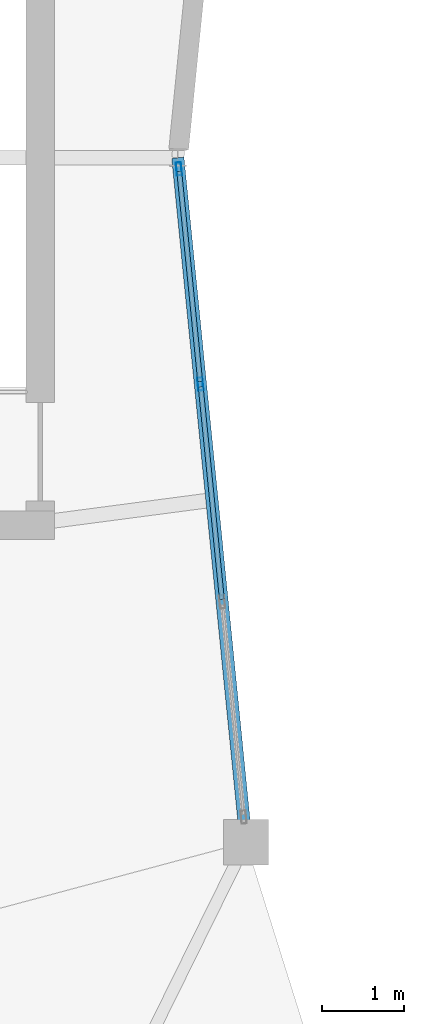
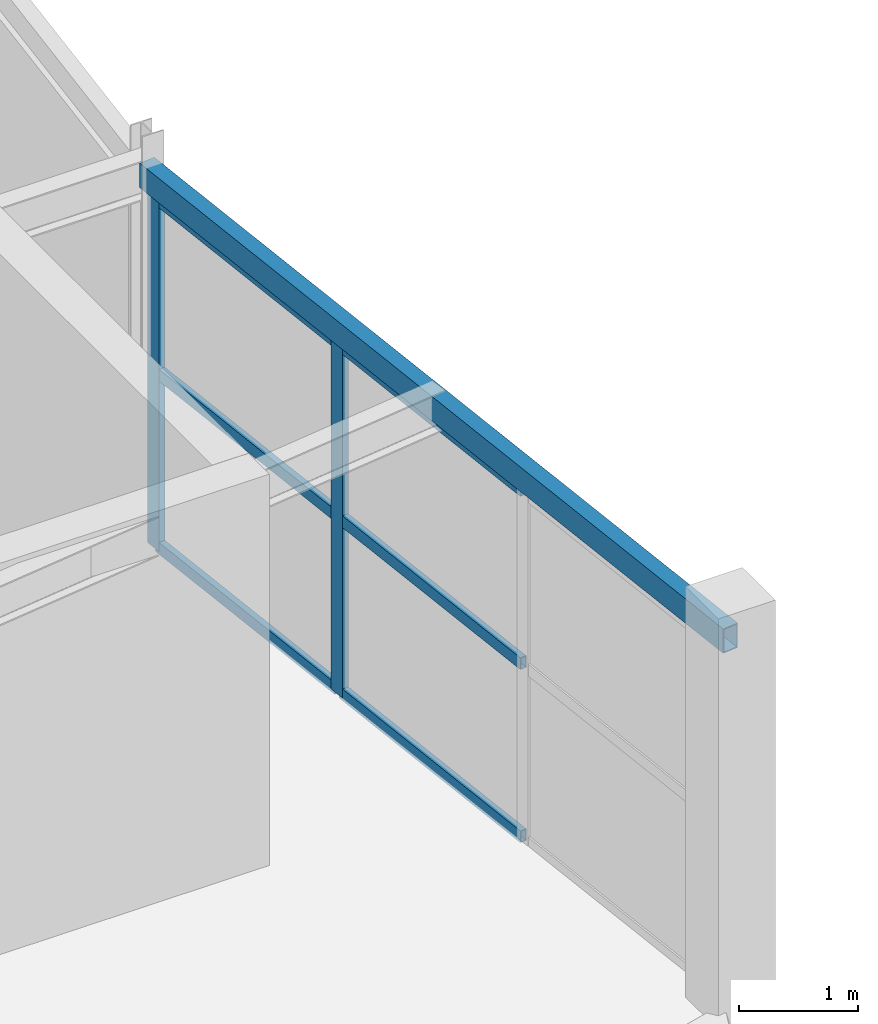
# One storey, part 31 of 106: 8 members, 1 beam, 1 element without a shape of its own.
"""IFC4 building model written with IfcOpenShell, lengths in metres."""

from ifc_helpers import new_model, si_unit, direction, frame, origin, origin_2d, place, context, subcontext, project, spatial, hollow_rectangle, extrude, material, material_profile, profile_set, type_object, element, aggregate, save


model = new_model("IFC4")

# Units and contexts
model_context = context("Model", 3, precision=1e-05, world=origin(), true_north=direction((0.0, 1.0)))
body_context = subcontext(model_context, "Body", "Model", "MODEL_VIEW")
ifc_project = project(units=[si_unit("LENGTHUNIT", "METRE"), si_unit("AREAUNIT", "SQUARE_METRE"), si_unit("VOLUMEUNIT", "CUBIC_METRE"), si_unit("PLANEANGLEUNIT", "RADIAN"), si_unit("MASSUNIT", "GRAM", prefix="KILO")], contexts=[model_context])

# Site, building, storey
site_placement = place(None, origin())
site = spatial("IfcSite", under=ifc_project, at=site_placement, CompositionType="ELEMENT")
building_placement = place(site_placement, origin())
building = spatial("IfcBuilding", under=site, at=building_placement, Name="Karori Crest Natural Sciences Institute", CompositionType="ELEMENT")
storey_placement = place(building_placement, frame((0.0, 0.0, 25.89990234375)))
storey = spatial("IfcBuildingStorey", under=building, at=storey_placement, Name="L06", CompositionType="ELEMENT", Elevation=25.89990234375)

# Beam
ifc_material_1 = material(Name="Hollow structural steel AS/NZS 1163 Grade C350", Category="steel")
ifc_material_profile_1 = material_profile(ifc_material_1, hollow_rectangle(XDim=0.14990234375, YDim=0.25, WallThickness=0.009033203125, at=origin_2d()), Name="RHS250x150x9")
ifc_profile_set_1 = profile_set([ifc_material_profile_1], Name="Hollow structural steel AS/NZS 1163 Grade C350")
beam_type = type_object("IfcBeamType", Name="BT-16", PredefinedType="SPANDREL", material=ifc_profile_set_1)
beam_placement = place(storey_placement, frame((42.0, 49.89990234375, 3.739990234375), z_axis=(0.099255508608, -0.995061979985, 0.0), x_axis=(0.995061979985, 0.099255508608, 0.0)))
element("IfcBeam", 1, at=beam_placement, inside=storey, type_object=beam_type, Name="Beam B-0681", PredefinedType="SPANDREL", context=body_context, shape_type="SweptSolid", body=[
    extrude(hollow_rectangle(XDim=0.14990234375, YDim=0.25, WallThickness=0.009033203125, at=origin_2d()), origin(), (0.0, 0.0, 1.0), 8.375244140625),
])

# Curtain wall, members
ifc_material_2 = material(Name="Anodised architectural aluminium 6063-T6", Category="aluminium")
curtain_wall_type = type_object("IfcCurtainWallType", Name="CWT-13", PredefinedType="NOTDEFINED", material=ifc_material_2)
curtain_wall_placement = place(storey_placement, origin())
curtain_wall = element("IfcCurtainWall", 2, at=curtain_wall_placement, inside=storey, type_object=curtain_wall_type, Name="Curtain wall CW-0239", PredefinedType="NOTDEFINED")
ifc_material_profile_2 = material_profile(ifc_material_2, hollow_rectangle(XDim=0.06494140625, YDim=0.159912109375, WallThickness=0.00390625, at=origin_2d()), Name="CWM160x65x4")
ifc_profile_set_2 = profile_set([ifc_material_profile_2], Name="Anodised architectural aluminium 6063-T6")
member_type_1 = type_object("IfcMemberType", Name="CWM-01", PredefinedType="MULLION", material=ifc_profile_set_2)
member_1_placement = place(storey_placement, frame((42.013427734375, 49.7646484375, 0.0), z_axis=(0.0, 0.0, 1.0), x_axis=(0.995060684604, 0.099268494275, 0.0)))
member_1 = element("IfcMember", 3, at=member_1_placement, type_object=member_type_1, Name="CW-0239 mullion 1", PredefinedType="MULLION", context=body_context, shape_type="SweptSolid", body=[
    extrude(hollow_rectangle(XDim=0.06494140625, YDim=0.159912109375, WallThickness=0.00390625, at=origin_2d()), origin(), (0.0, 0.0, 1.0), 3.60009765625),
])
member_2_placement = place(storey_placement, frame((42.27490234375, 47.144287109375, 0.0), z_axis=(0.0, 0.0, 1.0), x_axis=(0.995060684604, 0.099268494275, 0.0)))
member_2 = element("IfcMember", 4, at=member_2_placement, type_object=member_type_1, Name="CW-0239 mullion 2", PredefinedType="MULLION", context=body_context, shape_type="SweptSolid", body=[
    extrude(hollow_rectangle(XDim=0.06494140625, YDim=0.159912109375, WallThickness=0.00390625, at=origin_2d()), origin(), (0.0, 0.0, 1.0), 3.60009765625),
])
ifc_material_profile_3 = material_profile(ifc_material_2, hollow_rectangle(XDim=0.06005859375, YDim=0.1201171875, WallThickness=0.00390625, at=origin_2d()), Name="CWT120x60x4")
ifc_profile_set_3 = profile_set([ifc_material_profile_3], Name="Anodised architectural aluminium 6063-T6")
member_type_2 = type_object("IfcMemberType", Name="CWT-TR1", PredefinedType="USERDEFINED", material=ifc_profile_set_3)
member_3_placement = place(storey_placement, frame((42.016845703125, 49.732421875, 0.030029296875), z_axis=(0.099240189366, -0.99506350793, 0.0), x_axis=(0.99506350793, 0.099240189366, 0.0)))
member_3 = element("IfcMember", 5, at=member_3_placement, type_object=member_type_2, Name="CW-0239 transom 1.1", ObjectType="TRANSOM", PredefinedType="USERDEFINED", context=body_context, shape_type="SweptSolid", body=[
    extrude(hollow_rectangle(XDim=0.06005859375, YDim=0.1201171875, WallThickness=0.00390625, at=origin_2d()), origin(), (0.0, 0.0, 1.0), 2.568359375),
])
member_4_placement = place(storey_placement, frame((42.016845703125, 49.732421875, 1.800048828125), z_axis=(0.099240189366, -0.99506350793, 0.0), x_axis=(0.99506350793, 0.099240189366, 0.0)))
member_4 = element("IfcMember", 6, at=member_4_placement, type_object=member_type_2, Name="CW-0239 transom 1.2", ObjectType="TRANSOM", PredefinedType="USERDEFINED", context=body_context, shape_type="SweptSolid", body=[
    extrude(hollow_rectangle(XDim=0.06005859375, YDim=0.1201171875, WallThickness=0.00390625, at=origin_2d()), origin(), (0.0, 0.0, 1.0), 2.568359375),
])
member_5_placement = place(storey_placement, frame((42.016845703125, 49.732421875, 3.570068359375), z_axis=(0.099240189366, -0.99506350793, 0.0), x_axis=(0.99506350793, 0.099240189366, 0.0)))
member_5 = element("IfcMember", 7, at=member_5_placement, type_object=member_type_2, Name="CW-0239 transom 1.3", ObjectType="TRANSOM", PredefinedType="USERDEFINED", context=body_context, shape_type="SweptSolid", body=[
    extrude(hollow_rectangle(XDim=0.06005859375, YDim=0.1201171875, WallThickness=0.00390625, at=origin_2d()), origin(), (0.0, 0.0, 1.0), 2.568359375),
])
member_6_placement = place(storey_placement, frame((42.278076171875, 47.112060546875, 0.030029296875), z_axis=(0.099308553467, -0.995056687435, 0.0), x_axis=(0.995056687435, 0.099308553467, 0.0)))
member_6 = element("IfcMember", 8, at=member_6_placement, type_object=member_type_2, Name="CW-0239 transom 2.1", ObjectType="TRANSOM", PredefinedType="USERDEFINED", context=body_context, shape_type="SweptSolid", body=[
    extrude(hollow_rectangle(XDim=0.06005859375, YDim=0.1201171875, WallThickness=0.00390625, at=origin_2d()), origin(), (0.0, 0.0, 1.0), 2.60107421875),
])
member_7_placement = place(storey_placement, frame((42.278076171875, 47.112060546875, 1.800048828125), z_axis=(0.099308553467, -0.995056687435, 0.0), x_axis=(0.995056687435, 0.099308553467, 0.0)))
member_7 = element("IfcMember", 9, at=member_7_placement, type_object=member_type_2, Name="CW-0239 transom 2.2", ObjectType="TRANSOM", PredefinedType="USERDEFINED", context=body_context, shape_type="SweptSolid", body=[
    extrude(hollow_rectangle(XDim=0.06005859375, YDim=0.1201171875, WallThickness=0.00390625, at=origin_2d()), origin(), (0.0, 0.0, 1.0), 2.60107421875),
])
member_8_placement = place(storey_placement, frame((42.278076171875, 47.112060546875, 3.570068359375), z_axis=(0.099308553467, -0.995056687435, 0.0), x_axis=(0.995056687435, 0.099308553467, 0.0)))
member_8 = element("IfcMember", 10, at=member_8_placement, type_object=member_type_2, Name="CW-0239 transom 2.3", ObjectType="TRANSOM", PredefinedType="USERDEFINED", context=body_context, shape_type="SweptSolid", body=[
    extrude(hollow_rectangle(XDim=0.06005859375, YDim=0.1201171875, WallThickness=0.00390625, at=origin_2d()), origin(), (0.0, 0.0, 1.0), 2.60107421875),
])
aggregate(curtain_wall, [member_1, member_2, member_3, member_4, member_5, member_6, member_7, member_8])

save(model, "model.ifc")
